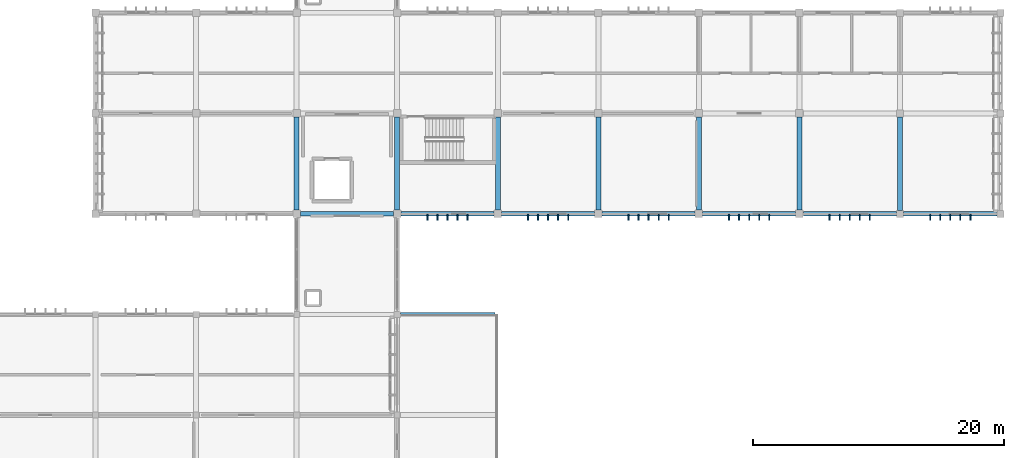
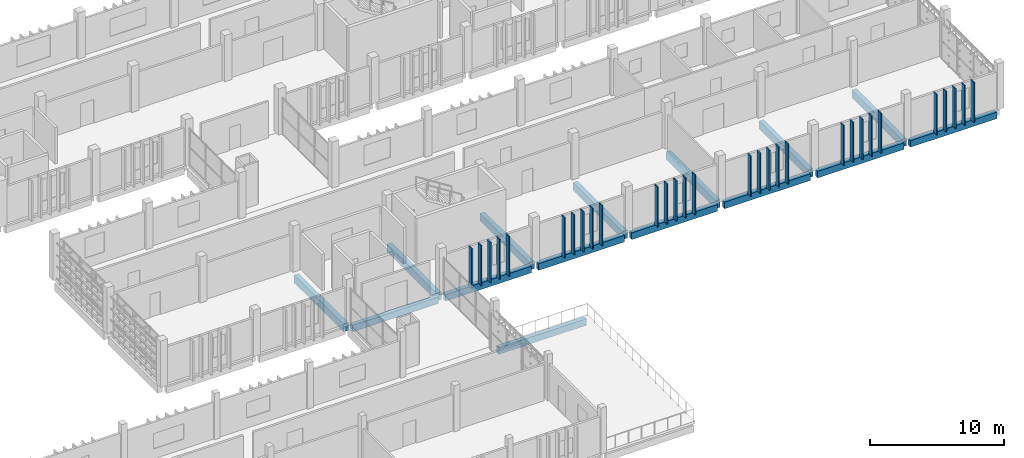
# One storey, part 30 of 63: 30 members, 15 beams.
"""IFC4 building model written with IfcOpenShell, lengths in metres."""

from ifc_helpers import new_model, si_unit, direction, frame, origin, origin_2d, place, context, subcontext, project, spatial, rectangle, extrude, material, material_profile, profile_set, type_object, element, save


model = new_model("IFC4")

# Units and contexts
model_context = context("Model", 3, precision=1e-05, world=origin(), true_north=direction((0.0, 1.0)))
body_context = subcontext(model_context, "Body", "Model", "MODEL_VIEW")
ifc_project = project(units=[si_unit("LENGTHUNIT", "METRE"), si_unit("AREAUNIT", "SQUARE_METRE"), si_unit("VOLUMEUNIT", "CUBIC_METRE"), si_unit("PLANEANGLEUNIT", "RADIAN"), si_unit("MASSUNIT", "GRAM", prefix="KILO")], contexts=[model_context])

# Site, building, storey
site_placement = place(None, origin())
site = spatial("IfcSite", under=ifc_project, at=site_placement, CompositionType="ELEMENT")
building_placement = place(site_placement, origin())
building = spatial("IfcBuilding", under=site, at=building_placement, Name="Jelvoka-Kovrelna Polytechnic", CompositionType="ELEMENT")
storey_placement = place(building_placement, frame((0.0, 0.0, 18.0)))
storey = spatial("IfcBuildingStorey", under=building, at=storey_placement, Name="L05", CompositionType="ELEMENT", Elevation=18.0)

# Beams
ifc_material_1 = material(Name="Concrete C40/50", Category="concrete")
ifc_material_profile_1 = material_profile(ifc_material_1, rectangle(XDim=0.39990234375, YDim=0.699951171875, at=origin_2d()), Name="RC 400x700")
ifc_profile_set_1 = profile_set([ifc_material_profile_1], Name="Concrete C40/50")
beam_type_1 = type_object("IfcBeamType", Name="Beam_RC_400x700", PredefinedType="BEAM", material=ifc_profile_set_1)
for number, where, z_axis, x_axis, name in (
    (1, (144.0, 32.304931640625, -0.60009765625), (0.0, 1.0, 0.0), (-1.0, 0.0, 0.0), "L05 beam 1489"),
    (2, (152.0, 32.304931640625, -0.60009765625), (0.0, 1.0, 0.0), (-1.0, 0.0, 0.0), "L05 beam 1491"),
    (3, (160.0, 32.304931640625, -0.60009765625), (0.0, 1.0, 0.0), (-1.0, 0.0, 0.0), "L05 beam 1493"),
    (4, (168.0, 32.304931640625, -0.60009765625), (0.0, 1.0, 0.0), (-1.0, 0.0, 0.0), "L05 beam 1495"),
    (5, (176.0, 32.304931640625, -0.60009765625), (0.0, 1.0, 0.0), (-1.0, 0.0, 0.0), "L05 beam 1497"),
    (6, (184.0, 32.304931640625, -0.60009765625), (0.0, 1.0, 0.0), (-1.0, 0.0, 0.0), "L05 beam 1499"),
):
    element("IfcBeam", number, at=place(storey_placement, frame(where, z_axis=z_axis, x_axis=x_axis)), inside=storey, type_object=beam_type_1, Name=name, PredefinedType="BEAM", context=body_context, shape_type="SweptSolid", body=[
        extrude(rectangle(XDim=0.39990234375, YDim=0.699951171875, at=origin_2d()), origin(), (0.0, 0.0, 1.0), 7.39013671875),
    ])
beam_1_placement = place(storey_placement, frame((192.0, 32.280029296875, -0.60009765625), z_axis=(0.0, 1.0, 0.0), x_axis=(-1.0, 0.0, 0.0)))
element("IfcBeam", 7, at=beam_1_placement, inside=storey, type_object=beam_type_1, Name="L05 beam 1501", PredefinedType="BEAM", context=body_context, shape_type="SweptSolid", body=[
    extrude(rectangle(XDim=0.39990234375, YDim=0.699951171875, at=origin_2d()), origin(), (0.0, 0.0, 1.0), 7.43994140625),
])

# Members
ifc_material_2 = material(Name="Precast concrete C40/50", Category="concrete")
ifc_material_profile_2 = material_profile(ifc_material_2, rectangle(XDim=0.10009765625, YDim=0.449951171875, at=origin_2d()), Name="PC 100x450")
ifc_profile_set_2 = profile_set([ifc_material_profile_2], Name="Precast concrete C40/50")
member_type = type_object("IfcMemberType", Name="Louvre_Fin_100x450", PredefinedType="USERDEFINED", material=ifc_profile_set_2)
for number, where, z_axis, x_axis, name in (
    (8, (154.39990234375, 31.735107421875, -0.27001953125), (0.0, 0.0, 1.0), (1.0, 0.0, 0.0), "L05 B2E south vertical solar louvre fin 1026"),
    (9, (155.199951171875, 31.735107421875, -0.27001953125), (0.0, 0.0, 1.0), (1.0, 0.0, 0.0), "L05 B2E south vertical solar louvre fin 1027"),
    (10, (156.0, 31.735107421875, -0.27001953125), (0.0, 0.0, 1.0), (1.0, 0.0, 0.0), "L05 B2E south vertical solar louvre fin 1028"),
    (11, (156.800048828125, 31.735107421875, -0.27001953125), (0.0, 0.0, 1.0), (1.0, 0.0, 0.0), "L05 B2E south vertical solar louvre fin 1029"),
    (12, (157.60009765625, 31.735107421875, -0.27001953125), (0.0, 0.0, 1.0), (1.0, 0.0, 0.0), "L05 B2E south vertical solar louvre fin 1030"),
    (13, (162.39990234375, 31.735107421875, -0.27001953125), (0.0, 0.0, 1.0), (1.0, 0.0, 0.0), "L05 B2E south vertical solar louvre fin 1036"),
    (14, (163.199951171875, 31.735107421875, -0.27001953125), (0.0, 0.0, 1.0), (1.0, 0.0, 0.0), "L05 B2E south vertical solar louvre fin 1037"),
    (15, (164.0, 31.735107421875, -0.27001953125), (0.0, 0.0, 1.0), (1.0, 0.0, 0.0), "L05 B2E south vertical solar louvre fin 1038"),
    (16, (164.800048828125, 31.735107421875, -0.27001953125), (0.0, 0.0, 1.0), (1.0, 0.0, 0.0), "L05 B2E south vertical solar louvre fin 1039"),
    (17, (165.60009765625, 31.735107421875, -0.27001953125), (0.0, 0.0, 1.0), (1.0, 0.0, 0.0), "L05 B2E south vertical solar louvre fin 1040"),
    (18, (170.39990234375, 31.735107421875, -0.27001953125), (0.0, 0.0, 1.0), (1.0, 0.0, 0.0), "L05 B2E south vertical solar louvre fin 1046"),
    (19, (171.199951171875, 31.735107421875, -0.27001953125), (0.0, 0.0, 1.0), (1.0, 0.0, 0.0), "L05 B2E south vertical solar louvre fin 1047"),
    (20, (172.0, 31.735107421875, -0.27001953125), (0.0, 0.0, 1.0), (1.0, 0.0, 0.0), "L05 B2E south vertical solar louvre fin 1048"),
    (21, (172.800048828125, 31.735107421875, -0.27001953125), (0.0, 0.0, 1.0), (1.0, 0.0, 0.0), "L05 B2E south vertical solar louvre fin 1049"),
    (22, (173.60009765625, 31.735107421875, -0.27001953125), (0.0, 0.0, 1.0), (1.0, 0.0, 0.0), "L05 B2E south vertical solar louvre fin 1050"),
    (23, (178.39990234375, 31.735107421875, -0.27001953125), (0.0, 0.0, 1.0), (1.0, 0.0, 0.0), "L05 B2E south vertical solar louvre fin 1056"),
    (24, (179.199951171875, 31.735107421875, -0.27001953125), (0.0, 0.0, 1.0), (1.0, 0.0, 0.0), "L05 B2E south vertical solar louvre fin 1057"),
    (25, (180.0, 31.735107421875, -0.27001953125), (0.0, 0.0, 1.0), (1.0, 0.0, 0.0), "L05 B2E south vertical solar louvre fin 1058"),
    (26, (180.800048828125, 31.735107421875, -0.27001953125), (0.0, 0.0, 1.0), (1.0, 0.0, 0.0), "L05 B2E south vertical solar louvre fin 1059"),
    (27, (181.60009765625, 31.735107421875, -0.27001953125), (0.0, 0.0, 1.0), (1.0, 0.0, 0.0), "L05 B2E south vertical solar louvre fin 1060"),
    (28, (186.39990234375, 31.735107421875, -0.27001953125), (0.0, 0.0, 1.0), (1.0, 0.0, 0.0), "L05 B2E south vertical solar louvre fin 1061"),
    (29, (187.199951171875, 31.735107421875, -0.27001953125), (0.0, 0.0, 1.0), (1.0, 0.0, 0.0), "L05 B2E south vertical solar louvre fin 1062"),
    (30, (188.0, 31.735107421875, -0.27001953125), (0.0, 0.0, 1.0), (1.0, 0.0, 0.0), "L05 B2E south vertical solar louvre fin 1063"),
    (31, (188.800048828125, 31.735107421875, -0.27001953125), (0.0, 0.0, 1.0), (1.0, 0.0, 0.0), "L05 B2E south vertical solar louvre fin 1064"),
    (32, (189.60009765625, 31.735107421875, -0.27001953125), (0.0, 0.0, 1.0), (1.0, 0.0, 0.0), "L05 B2E south vertical solar louvre fin 1065"),
    (33, (194.39990234375, 31.735107421875, -0.27001953125), (0.0, 0.0, 1.0), (1.0, 0.0, 0.0), "L05 B2E south vertical solar louvre fin 1066"),
    (34, (195.199951171875, 31.735107421875, -0.27001953125), (0.0, 0.0, 1.0), (1.0, 0.0, 0.0), "L05 B2E south vertical solar louvre fin 1067"),
    (35, (196.0, 31.735107421875, -0.27001953125), (0.0, 0.0, 1.0), (1.0, 0.0, 0.0), "L05 B2E south vertical solar louvre fin 1068"),
    (36, (196.800048828125, 31.735107421875, -0.27001953125), (0.0, 0.0, 1.0), (1.0, 0.0, 0.0), "L05 B2E south vertical solar louvre fin 1069"),
    (37, (197.60009765625, 31.735107421875, -0.27001953125), (0.0, 0.0, 1.0), (1.0, 0.0, 0.0), "L05 B2E south vertical solar louvre fin 1070"),
):
    element("IfcMember", number, at=place(storey_placement, frame(where, z_axis=z_axis, x_axis=x_axis)), inside=storey, type_object=member_type, Name=name, ObjectType="SUNSHADE", PredefinedType="USERDEFINED", context=body_context, shape_type="SweptSolid", body=[
        extrude(rectangle(XDim=0.10009765625, YDim=0.449951171875, at=origin_2d()), origin(), (0.0, 0.0, 1.0), 3.655029296875),
    ])

# Beams
ifc_material_3 = material(Name="Concrete C40/50", Category="concrete")
ifc_material_profile_3 = material_profile(ifc_material_3, rectangle(XDim=0.35009765625, YDim=0.60009765625, at=origin_2d()), Name="RC 350x600")
ifc_profile_set_3 = profile_set([ifc_material_profile_3], Name="Concrete C40/50")
beam_type_2 = type_object("IfcBeamType", Name="Spandrel_RC_350x600", PredefinedType="SPANDREL", material=ifc_profile_set_3)
for number, where, z_axis, x_axis, name in (
    (38, (144.304931640625, 32.0, -0.550048828125), (1.0, 0.0, 0.0), (0.0, 1.0, 0.0), "L05 beam 1461"),
    (39, (152.304931640625, 32.0, -0.550048828125), (1.0, 0.0, 0.0), (0.0, 1.0, 0.0), "L05 beam 1462"),
    (40, (160.304931640625, 32.0, -0.550048828125), (1.0, 0.0, 0.0), (0.0, 1.0, 0.0), "L05 beam 1463"),
    (41, (168.304931640625, 32.0, -0.550048828125), (1.0, 0.0, 0.0), (0.0, 1.0, 0.0), "L05 beam 1464"),
    (42, (176.304931640625, 32.0, -0.550048828125), (1.0, 0.0, 0.0), (0.0, 1.0, 0.0), "L05 beam 1465"),
):
    element("IfcBeam", number, at=place(storey_placement, frame(where, z_axis=z_axis, x_axis=x_axis)), inside=storey, type_object=beam_type_2, Name=name, PredefinedType="SPANDREL", context=body_context, shape_type="SweptSolid", body=[
        extrude(rectangle(XDim=0.35009765625, YDim=0.60009765625, at=origin_2d()), origin(), (0.0, 0.0, 1.0), 7.39013671875),
    ])
beam_2_placement = place(storey_placement, frame((184.304931640625, 32.0, -0.550048828125), z_axis=(1.0, 0.0, 0.0), x_axis=(0.0, 1.0, 0.0)))
element("IfcBeam", 43, at=beam_2_placement, inside=storey, type_object=beam_type_2, Name="L05 beam 1466", PredefinedType="SPANDREL", context=body_context, shape_type="SweptSolid", body=[
    extrude(rectangle(XDim=0.35009765625, YDim=0.60009765625, at=origin_2d()), origin(), (0.0, 0.0, 1.0), 7.4150390625),
])
beam_3_placement = place(storey_placement, frame((192.280029296875, 32.0, -0.550048828125), z_axis=(1.0, 0.0, 0.0), x_axis=(0.0, 1.0, 0.0)))
element("IfcBeam", 44, at=beam_3_placement, inside=storey, type_object=beam_type_2, Name="L05 beam 1467", PredefinedType="SPANDREL", context=body_context, shape_type="SweptSolid", body=[
    extrude(rectangle(XDim=0.35009765625, YDim=0.60009765625, at=origin_2d()), origin(), (0.0, 0.0, 1.0), 7.43994140625),
])
beam_4_placement = place(storey_placement, frame((152.2548828125, 24.0, -0.52001953125), z_axis=(1.0, 0.0, 0.0), x_axis=(0.0, 1.0, 0.0)))
element("IfcBeam", 45, at=beam_4_placement, inside=storey, type_object=beam_type_2, Name="L05 beam 1620", PredefinedType="SPANDREL", context=body_context, shape_type="SweptSolid", body=[
    extrude(rectangle(XDim=0.35009765625, YDim=0.60009765625, at=origin_2d()), origin(), (0.0, 0.0, 1.0), 7.5400390625),
])

save(model, "model.ifc")
